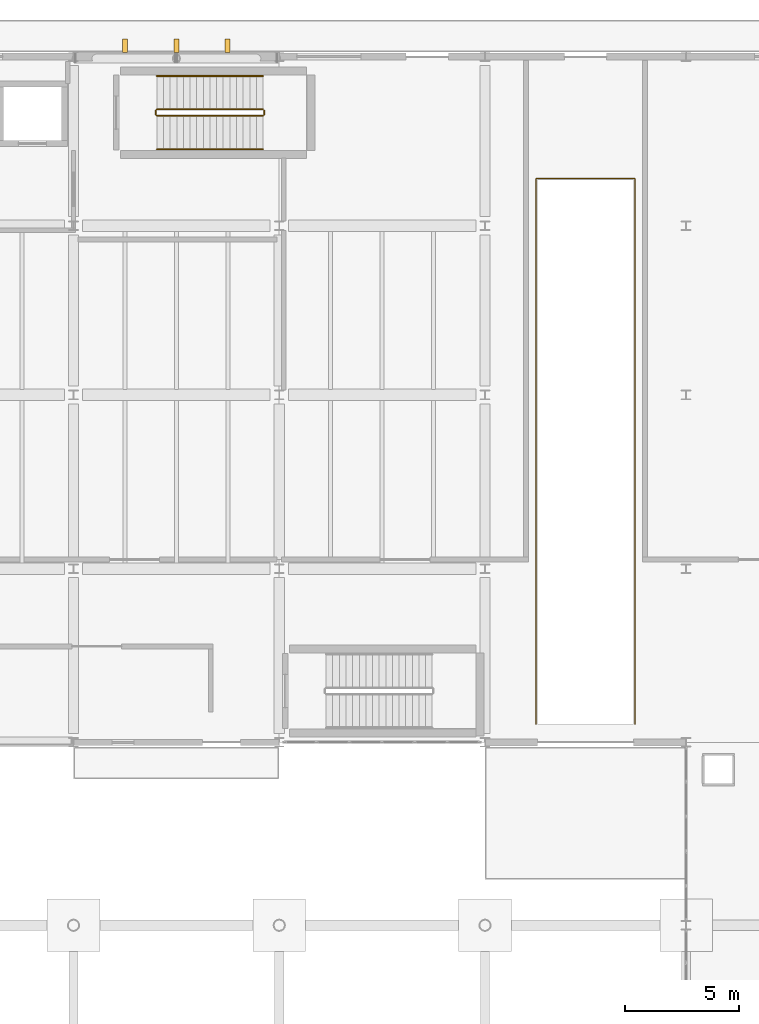
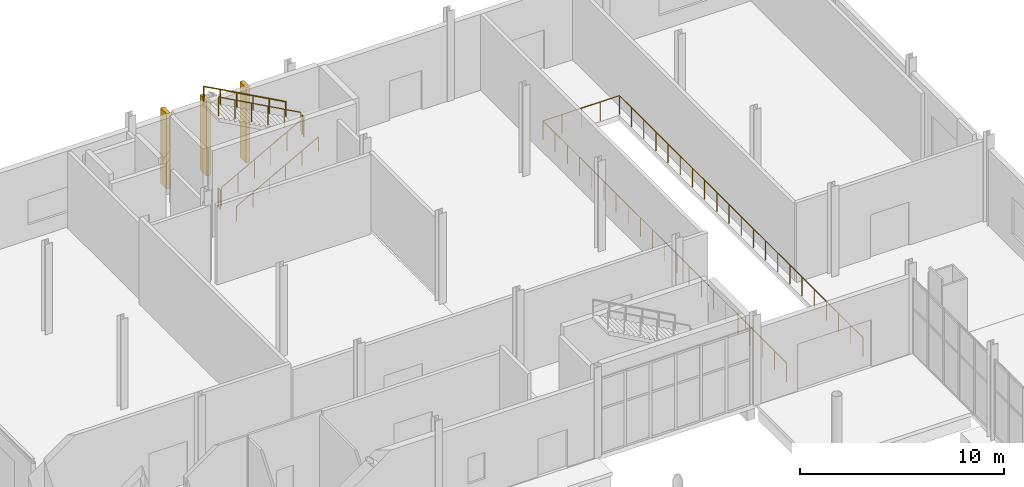
# One storey, part 94 of 95: 7 railings, 3 shading devices.
"""IFC4 building model written with IfcOpenShell, lengths in metres."""

import ifcopenshell
import ifcopenshell.guid

model = None  # the IFC model being written
_history = None  # IfcOwnerHistory: only IFC2X3 demands one
_inside = {}  # id of a spatial element -> (the spatial element, [elements in it])
_under = {}  # id of a project, library or spatial element -> (it, [spatial elements below it])
_declared = {}  # id of a project -> (the project, [libraries it declares])
_typed = {}  # id of a type object -> (the type object, [elements of that type])
_made_of = {}  # id of a material, layer set ... -> (it, [elements and type objects made of it])


def new_model(schema):
    """Start an empty IFC model of exactly this schema.

    Asked for "IFC4X3", IfcOpenShell would pick the latest addendum, in which some entities
    have other attributes; the version numbers below select the first issue.
    IFC2X3 requires an IfcOwnerHistory on every rooted entity: one is made here for all.
    """
    global model, _history
    if schema == "IFC4X3":
        model = ifcopenshell.file(schema_version=(4, 3, 0, 0))
    else:
        model = ifcopenshell.file(schema=schema)
    _inside.clear()
    _under.clear()
    _declared.clear()
    _typed.clear()
    _made_of.clear()
    _history = None
    if model.schema == "IFC2X3":
        org = make("IfcOrganization", Name="unknown")
        user = make(
            "IfcPersonAndOrganization",
            ThePerson=make("IfcPerson", FamilyName="unknown"),
            TheOrganization=org,
        )
        app = make(
            "IfcApplication",
            ApplicationDeveloper=org,
            Version="unknown",
            ApplicationFullName="unknown",
            ApplicationIdentifier="unknown",
        )
        _history = make(
            "IfcOwnerHistory",
            OwningUser=user,
            OwningApplication=app,
            ChangeAction="ADDED",
            CreationDate=0,
        )
    return model


def make(cls, **values):
    """One entity of the class cls with the attributes given. An attribute that is None is left unset."""
    return model.create_entity(
        cls, **{name: value for name, value in values.items() if value is not None}
    )


def rooted(cls, **values):
    """An entity with a GlobalId (a new one), such as an element, a storey or a relation."""
    return make(cls, GlobalId=ifcopenshell.guid.new(), OwnerHistory=_history, **values)


def si_unit(unit_type, name, prefix=None):
    """IfcSIUnit, for example si_unit("LENGTHUNIT", "METRE", prefix="MILLI")."""
    return make("IfcSIUnit", UnitType=unit_type, Prefix=prefix, Name=name)


def assignment(units):
    """IfcUnitAssignment: the units of a project."""
    return None if units is None else make("IfcUnitAssignment", Units=units)


def point(xyz):
    """IfcCartesianPoint."""
    return None if xyz is None else make("IfcCartesianPoint", Coordinates=xyz)


def direction(xyz):
    """IfcDirection."""
    return None if xyz is None else make("IfcDirection", DirectionRatios=xyz)


def frame(location, z_axis=None, x_axis=None):
    """IfcAxis2Placement3D, a coordinate frame: its origin and axes. An axis left out is left unset."""
    return make(
        "IfcAxis2Placement3D",
        Location=point(location),
        Axis=direction(z_axis),
        RefDirection=direction(x_axis),
    )


def frame_2d(location, x_axis=None):
    """IfcAxis2Placement2D, a coordinate frame in the plane: its origin and x axis."""
    return make(
        "IfcAxis2Placement2D", Location=point(location), RefDirection=direction(x_axis)
    )


def origin():
    """The frame at (0, 0, 0) with its axes left unset."""
    return frame((0.0, 0.0, 0.0))


def origin_2d():
    """The frame at (0, 0) in the plane with its x axis left unset."""
    return frame_2d((0.0, 0.0))


def place(relative_to, where):
    """IfcLocalPlacement: puts the frame where relative to a parent placement (None: the world)."""
    return make(
        "IfcLocalPlacement", PlacementRelTo=relative_to, RelativePlacement=where
    )


def context(
    kind, dimensions, precision=None, world=None, true_north=None, identifier=None
):
    """IfcGeometricRepresentationContext, for example the 3D "Model" context."""
    return make(
        "IfcGeometricRepresentationContext",
        ContextIdentifier=identifier,
        ContextType=kind,
        CoordinateSpaceDimension=dimensions,
        Precision=precision,
        WorldCoordinateSystem=world,
        TrueNorth=true_north,
    )


def subcontext(parent, identifier, kind, view, scale=None):
    """IfcGeometricRepresentationSubContext, for example "Body" below "Model"."""
    return make(
        "IfcGeometricRepresentationSubContext",
        ContextIdentifier=identifier,
        ContextType=kind,
        ParentContext=parent,
        TargetScale=scale,
        TargetView=view,
    )


def project(units=None, contexts=None):
    """IfcProject with its units and contexts."""
    return rooted(
        "IfcProject",
        Name="project",
        RepresentationContexts=contexts,
        UnitsInContext=assignment(units),
    )


def spatial(cls, under=None, at=None, **own):
    """A site, building, storey or space (cls), placed at a placement, below another one or the project."""
    s = rooted(cls, ObjectPlacement=at, **own)
    if under is not None:
        _under.setdefault(under.id(), (under, []))[1].append(s)
    return s


def profile(cls, at=None, kind="AREA", **sizes):
    """A parametric profile (cls). Its sizes go by their IFC names, for example OverallWidth=200.0."""
    return make(cls, ProfileType=kind, Position=at, **sizes)


def rectangle(**sizes):
    """IfcRectangleProfileDef."""
    return profile("IfcRectangleProfileDef", **sizes)


def circle(**sizes):
    """IfcCircleProfileDef."""
    return profile("IfcCircleProfileDef", **sizes)


def extrude(swept, where, along, depth):
    """IfcExtrudedAreaSolid: the profile swept, set in the frame where, extruded along a direction by depth."""
    return make(
        "IfcExtrudedAreaSolid",
        SweptArea=swept,
        Position=where,
        ExtrudedDirection=direction(along),
        Depth=depth,
    )


def shape(context_of_items, identifier, shape_type, items):
    """IfcShapeRepresentation: the items that make up one representation, for example the "Body"."""
    return make(
        "IfcShapeRepresentation",
        ContextOfItems=context_of_items,
        RepresentationIdentifier=identifier,
        RepresentationType=shape_type,
        Items=items,
    )


def material(Name=None, Category=None):
    """IfcMaterial."""
    return make("IfcMaterial", Name=Name, Category=Category)


def layer(
    of_material, thickness, ventilated=None, Name=None, Category=None, Priority=None
):
    """IfcMaterialLayer: one layer of a wall or slab, of a material (None: an air gap)."""
    return make(
        "IfcMaterialLayer",
        Material=of_material,
        LayerThickness=thickness,
        IsVentilated=ventilated,
        Name=Name,
        Category=Category,
        Priority=Priority,
    )


def layer_set(layers, Name=None):
    """IfcMaterialLayerSet."""
    return make("IfcMaterialLayerSet", MaterialLayers=layers, LayerSetName=Name)


def made_of(thing, what):
    """Note that an element or type object is made of a material, layer set ...; save() writes the relation."""
    if what is not None:
        _made_of.setdefault(what.id(), (what, []))[1].append(thing)
    return thing


def type_object(cls, material=None, **own):
    """A type object (cls), such as IfcWallType, which elements share."""
    return made_of(rooted(cls, **own), material)


def element(
    cls,
    number,
    at=None,
    inside=None,
    cuts=None,
    type_object=None,
    material=None,
    context=None,
    identifier="Body",
    shape_type=None,
    held_by="IfcProductDefinitionShape",
    body=None,
    shapes=None,
    **own,
):
    """One element of the class cls, such as IfcWall. Its Tag is "e" and its number.

    at: its placement. inside: the storey or other place that contains it. cuts: it is an
    opening in that element (IfcRelVoidsElement). A single representation is given by context,
    identifier, shape_type and body (its items); several are given by shapes. held_by: the class
    of the entity that holds the representations. save() writes the other relations.
    """
    e = rooted(cls, Tag="e%d" % number, ObjectPlacement=at, **own)
    if body is not None:
        shapes = [shape(context, identifier, shape_type, body)]
    if shapes is not None:
        e.Representation = make(held_by, Representations=shapes)
    if inside is not None:
        _inside.setdefault(inside.id(), (inside, []))[1].append(e)
    if cuts is not None:
        rooted(
            "IfcRelVoidsElement", RelatingBuildingElement=cuts, RelatedOpeningElement=e
        )
    if type_object is not None:
        _typed.setdefault(type_object.id(), (type_object, []))[1].append(e)
    return made_of(e, material)


def aggregate(whole, parts):
    """IfcRelAggregates: a whole, such as a stair, and the parts it consists of."""
    return rooted("IfcRelAggregates", RelatingObject=whole, RelatedObjects=parts)


def save(model, path):
    """Write the relations noted so far, then the file.

    IfcRelAggregates (storeys below a building ...), IfcRelContainedInSpatialStructure (elements
    in a storey), IfcRelDefinesByType, IfcRelAssociatesMaterial and IfcRelDeclares: one each for
    every whole, place, type object, material and project.
    """
    for whole, parts in _under.values():
        aggregate(whole, parts)
    for where, things in _inside.values():
        rooted(
            "IfcRelContainedInSpatialStructure",
            RelatedElements=things,
            RelatingStructure=where,
        )
    for kind, things in _typed.values():
        rooted("IfcRelDefinesByType", RelatedObjects=things, RelatingType=kind)
    for what, things in _made_of.values():
        rooted("IfcRelAssociatesMaterial", RelatedObjects=things, RelatingMaterial=what)
    for by, libraries in _declared.values():
        rooted("IfcRelDeclares", RelatingContext=by, RelatedDefinitions=libraries)
    model.write(path)


model = new_model("IFC4")

# Units and contexts
model_context = context("Model", 3, precision=1e-05, world=origin(), true_north=direction((0.0, 1.0)))
body_context = subcontext(model_context, "Body", "Model", "MODEL_VIEW")
ifc_project = project(units=[si_unit("LENGTHUNIT", "METRE"), si_unit("AREAUNIT", "SQUARE_METRE"), si_unit("VOLUMEUNIT", "CUBIC_METRE"), si_unit("PLANEANGLEUNIT", "RADIAN"), si_unit("MASSUNIT", "GRAM", prefix="KILO")], contexts=[model_context])

# Site, building, storey
site_placement = place(None, origin())
site = spatial("IfcSite", under=ifc_project, at=site_placement, CompositionType="ELEMENT")
building_placement = place(site_placement, origin())
building = spatial("IfcBuilding", under=site, at=building_placement, Name="Shengluoqiao Park Theatre", CompositionType="ELEMENT")
storey_placement = place(building_placement, origin())
storey = spatial("IfcBuildingStorey", under=building, at=storey_placement, Name="L00", CompositionType="ELEMENT", Elevation=0.0)

# Shading devices
ifc_material_1 = material(Name="Concrete C45", Category="concrete")
ifc_layer = layer(ifc_material_1, 0.219970703125, Name="Concrete C45")
ifc_layer_set = layer_set([ifc_layer], Name="Concrete C45")
shading_device_type = type_object("IfcShadingDeviceType", Name="ENV-FIN-600x220", PredefinedType="USERDEFINED", material=ifc_layer_set)
for number, where, z_axis, x_axis, name in (
    (1, (132.65673828125, 114.47509765625, 0.02001953125), (0.0, 0.0, 1.0), (0.0, 1.0, 0.0), "L00 Vertical Concrete Acoustic Rib 0146"),
    (2, (134.89990234375, 114.47509765625, 0.02001953125), (0.0, 0.0, 1.0), (0.0, 1.0, 0.0), "L00 Vertical Concrete Acoustic Rib 0147"),
    (3, (137.143310546875, 114.47509765625, 0.02001953125), (0.0, 0.0, 1.0), (0.0, 1.0, 0.0), "L00 Vertical Concrete Acoustic Rib 0148"),
):
    element("IfcShadingDevice", number, at=place(storey_placement, frame(where, z_axis=z_axis, x_axis=x_axis)), inside=storey, type_object=shading_device_type, Name=name, ObjectType="FIN", PredefinedType="USERDEFINED", context=body_context, shape_type="SweptSolid", body=[
        extrude(rectangle(XDim=0.60009765625, YDim=0.219970703125, at=origin_2d()), origin(), (0.0, 0.0, 1.0), 4.510009765625),
    ])

# Railings
ifc_material_2 = material(Name="Steel Q355", Category="steel")
railing_type_1 = type_object("IfcRailingType", Name="INT-RL-FLY115", PredefinedType="GUARDRAIL", material=ifc_material_2)
railing_1_placement = place(storey_placement, frame((150.639892578125, 84.800048828125, 0.0)))
element("IfcRailing", 4, at=railing_1_placement, inside=storey, type_object=railing_type_1, Name="L00 Vehicle Ramp Void Safety Guard 0001", PredefinedType="GUARDRAIL", context=body_context, shape_type="SweptSolid", body=[
    extrude(circle(Radius=0.02392578125, at=origin_2d()), frame((0.0, 0.0, 1.1259765625), z_axis=(0.0, 1.0, 0.0), x_axis=(-1.0, 0.0, 0.0)), (0.0, 0.0, 1.0), 23.85986328125),
    extrude(circle(Radius=0.02392578125, at=origin_2d()), frame((0.0, 23.85986328125, 1.1259765625), z_axis=(1.0, 0.0, 0.0), x_axis=(0.0, 1.0, 0.0)), (0.0, 0.0, 1.0), 4.320068359375),
    extrude(circle(Radius=0.02392578125, at=origin_2d()), frame((4.320068359375, 23.85986328125, 1.1259765625), z_axis=(0.0, -1.0, 0.0), x_axis=(1.0, 0.0, 0.0)), (0.0, 0.0, 1.0), 23.85986328125),
    extrude(circle(Radius=0.02099609375, at=origin_2d()), origin(), (0.0, 0.0, 1.0), 1.101806640625),
    extrude(circle(Radius=0.02099609375, at=origin_2d()), frame((0.0, 1.19287109375, 0.0)), (0.0, 0.0, 1.0), 1.101806640625),
    extrude(circle(Radius=0.02099609375, at=origin_2d()), frame((0.0, 2.385986328125, 0.0)), (0.0, 0.0, 1.0), 1.101806640625),
    extrude(circle(Radius=0.02099609375, at=origin_2d()), frame((0.0, 3.5791015625, 0.0)), (0.0, 0.0, 1.0), 1.101806640625),
    extrude(circle(Radius=0.02099609375, at=origin_2d()), frame((0.0, 4.77197265625, 0.0)), (0.0, 0.0, 1.0), 1.101806640625),
    extrude(circle(Radius=0.02099609375, at=origin_2d()), frame((0.0, 5.96484375, 0.0)), (0.0, 0.0, 1.0), 1.101806640625),
    extrude(circle(Radius=0.02099609375, at=origin_2d()), frame((0.0, 7.157958984375, 0.0)), (0.0, 0.0, 1.0), 1.101806640625),
    extrude(circle(Radius=0.02099609375, at=origin_2d()), frame((0.0, 8.35107421875, 0.0)), (0.0, 0.0, 1.0), 1.101806640625),
    extrude(circle(Radius=0.02099609375, at=origin_2d()), frame((0.0, 9.5439453125, 0.0)), (0.0, 0.0, 1.0), 1.101806640625),
    extrude(circle(Radius=0.02099609375, at=origin_2d()), frame((0.0, 10.73681640625, 0.0)), (0.0, 0.0, 1.0), 1.101806640625),
    extrude(circle(Radius=0.02099609375, at=origin_2d()), frame((0.0, 11.929931640625, 0.0)), (0.0, 0.0, 1.0), 1.101806640625),
    extrude(circle(Radius=0.02099609375, at=origin_2d()), frame((0.0, 13.123046875, 0.0)), (0.0, 0.0, 1.0), 1.101806640625),
    extrude(circle(Radius=0.02099609375, at=origin_2d()), frame((0.0, 14.31591796875, 0.0)), (0.0, 0.0, 1.0), 1.101806640625),
    extrude(circle(Radius=0.02099609375, at=origin_2d()), frame((0.0, 15.5087890625, 0.0)), (0.0, 0.0, 1.0), 1.101806640625),
    extrude(circle(Radius=0.02099609375, at=origin_2d()), frame((0.0, 16.701904296875, 0.0)), (0.0, 0.0, 1.0), 1.101806640625),
    extrude(circle(Radius=0.02099609375, at=origin_2d()), frame((0.0, 17.89501953125, 0.0)), (0.0, 0.0, 1.0), 1.101806640625),
    extrude(circle(Radius=0.02099609375, at=origin_2d()), frame((0.0, 19.087890625, 0.0)), (0.0, 0.0, 1.0), 1.101806640625),
    extrude(circle(Radius=0.02099609375, at=origin_2d()), frame((0.0, 20.28076171875, 0.0)), (0.0, 0.0, 1.0), 1.101806640625),
    extrude(circle(Radius=0.02099609375, at=origin_2d()), frame((0.0, 21.473876953125, 0.0)), (0.0, 0.0, 1.0), 1.101806640625),
    extrude(circle(Radius=0.02099609375, at=origin_2d()), frame((0.0, 22.6669921875, 0.0)), (0.0, 0.0, 1.0), 1.101806640625),
    extrude(circle(Radius=0.02099609375, at=origin_2d()), frame((0.0, 23.85986328125, 0.0)), (0.0, 0.0, 1.0), 1.101806640625),
    extrude(circle(Radius=0.02099609375, at=origin_2d()), frame((1.080078125, 23.85986328125, 0.0)), (0.0, 0.0, 1.0), 1.101806640625),
    extrude(circle(Radius=0.02099609375, at=origin_2d()), frame((2.16015625, 23.85986328125, 0.0)), (0.0, 0.0, 1.0), 1.101806640625),
    extrude(circle(Radius=0.02099609375, at=origin_2d()), frame((3.239990234375, 23.85986328125, 0.0)), (0.0, 0.0, 1.0), 1.101806640625),
    extrude(circle(Radius=0.02099609375, at=origin_2d()), frame((4.320068359375, 23.85986328125, 0.0)), (0.0, 0.0, 1.0), 1.101806640625),
    extrude(circle(Radius=0.02099609375, at=origin_2d()), frame((4.320068359375, 22.6669921875, 0.0)), (0.0, 0.0, 1.0), 1.101806640625),
    extrude(circle(Radius=0.02099609375, at=origin_2d()), frame((4.320068359375, 21.473876953125, 0.0)), (0.0, 0.0, 1.0), 1.101806640625),
    extrude(circle(Radius=0.02099609375, at=origin_2d()), frame((4.320068359375, 20.28076171875, 0.0)), (0.0, 0.0, 1.0), 1.101806640625),
    extrude(circle(Radius=0.02099609375, at=origin_2d()), frame((4.320068359375, 19.087890625, 0.0)), (0.0, 0.0, 1.0), 1.101806640625),
    extrude(circle(Radius=0.02099609375, at=origin_2d()), frame((4.320068359375, 17.89501953125, 0.0)), (0.0, 0.0, 1.0), 1.101806640625),
    extrude(circle(Radius=0.02099609375, at=origin_2d()), frame((4.320068359375, 16.701904296875, 0.0)), (0.0, 0.0, 1.0), 1.101806640625),
    extrude(circle(Radius=0.02099609375, at=origin_2d()), frame((4.320068359375, 15.5087890625, 0.0)), (0.0, 0.0, 1.0), 1.101806640625),
    extrude(circle(Radius=0.02099609375, at=origin_2d()), frame((4.320068359375, 14.31591796875, 0.0)), (0.0, 0.0, 1.0), 1.101806640625),
    extrude(circle(Radius=0.02099609375, at=origin_2d()), frame((4.320068359375, 13.123046875, 0.0)), (0.0, 0.0, 1.0), 1.101806640625),
    extrude(circle(Radius=0.02099609375, at=origin_2d()), frame((4.320068359375, 11.929931640625, 0.0)), (0.0, 0.0, 1.0), 1.101806640625),
    extrude(circle(Radius=0.02099609375, at=origin_2d()), frame((4.320068359375, 10.73681640625, 0.0)), (0.0, 0.0, 1.0), 1.101806640625),
    extrude(circle(Radius=0.02099609375, at=origin_2d()), frame((4.320068359375, 9.5439453125, 0.0)), (0.0, 0.0, 1.0), 1.101806640625),
    extrude(circle(Radius=0.02099609375, at=origin_2d()), frame((4.320068359375, 8.35107421875, 0.0)), (0.0, 0.0, 1.0), 1.101806640625),
    extrude(circle(Radius=0.02099609375, at=origin_2d()), frame((4.320068359375, 7.157958984375, 0.0)), (0.0, 0.0, 1.0), 1.101806640625),
    extrude(circle(Radius=0.02099609375, at=origin_2d()), frame((4.320068359375, 5.96484375, 0.0)), (0.0, 0.0, 1.0), 1.101806640625),
    extrude(circle(Radius=0.02099609375, at=origin_2d()), frame((4.320068359375, 4.77197265625, 0.0)), (0.0, 0.0, 1.0), 1.101806640625),
    extrude(circle(Radius=0.02099609375, at=origin_2d()), frame((4.320068359375, 3.5791015625, 0.0)), (0.0, 0.0, 1.0), 1.101806640625),
    extrude(circle(Radius=0.02099609375, at=origin_2d()), frame((4.320068359375, 2.385986328125, 0.0)), (0.0, 0.0, 1.0), 1.101806640625),
    extrude(circle(Radius=0.02099609375, at=origin_2d()), frame((4.320068359375, 1.19287109375, 0.0)), (0.0, 0.0, 1.0), 1.101806640625),
    extrude(circle(Radius=0.02099609375, at=origin_2d()), frame((4.320068359375, 0.0, 0.0)), (0.0, 0.0, 1.0), 1.101806640625),
])
ifc_material_3 = material(Name="Painted steel", Category="steel")
railing_type_2 = type_object("IfcRailingType", Name="INT-RL-STGRD", PredefinedType="GUARDRAIL", material=ifc_material_3)
railing_2_placement = place(storey_placement, frame((134.050048828125, 111.409912109375, 0.158935546875)))
element("IfcRailing", 5, at=railing_2_placement, inside=storey, type_object=railing_type_2, Name="L00 ST-06 stair guard 1", PredefinedType="GUARDRAIL", context=body_context, shape_type="SweptSolid", body=[
    extrude(circle(Radius=0.02392578125, at=origin_2d()), frame((0.0, 0.0, 1.1259765625), z_axis=(0.877086546512, 0.0, 0.480332374433), x_axis=(0.0, 1.0, 0.0)), (0.0, 0.0, 1.0), 5.2900390625),
    extrude(circle(Radius=0.02099609375, at=origin_2d()), origin(), (0.0, 0.0, 1.0), 1.101806640625),
    extrude(circle(Radius=0.02099609375, at=origin_2d()), frame((0.927978515625, 0.0, 0.50830078125)), (0.0, 0.0, 1.0), 1.101806640625),
    extrude(circle(Radius=0.02099609375, at=origin_2d()), frame((1.85595703125, 0.0, 1.016357421875)), (0.0, 0.0, 1.0), 1.101806640625),
    extrude(circle(Radius=0.02099609375, at=origin_2d()), frame((2.783935546875, 0.0, 1.524658203125)), (0.0, 0.0, 1.0), 1.101806640625),
    extrude(circle(Radius=0.02099609375, at=origin_2d()), frame((3.7119140625, 0.0, 2.03271484375)), (0.0, 0.0, 1.0), 1.101806640625),
    extrude(circle(Radius=0.02099609375, at=origin_2d()), frame((4.639892578125, 0.0, 2.541015625)), (0.0, 0.0, 1.0), 1.101806640625),
])
railing_3_placement = place(storey_placement, frame((138.739990234375, 111.4599609375, 2.699951171875)))
element("IfcRailing", 6, at=railing_3_placement, inside=storey, type_object=railing_type_2, Name="L00 ST-06 stair guard 2", PredefinedType="GUARDRAIL", context=body_context, shape_type="SweptSolid", body=[
    extrude(circle(Radius=0.02392578125, at=origin_2d()), frame((0.0, 0.0, 1.1259765625), z_axis=(0.0, 1.0, 0.0), x_axis=(-1.0, 0.0, 0.0)), (0.0, 0.0, 1.0), 0.179931640625),
    extrude(circle(Radius=0.02099609375, at=origin_2d()), origin(), (0.0, 0.0, 1.0), 1.101806640625),
    extrude(circle(Radius=0.02099609375, at=origin_2d()), frame((0.0, 0.179931640625, 0.0)), (0.0, 0.0, 1.0), 1.101806640625),
])
railing_4_placement = place(storey_placement, frame((138.68994140625, 111.68994140625, 2.85888671875)))
element("IfcRailing", 7, at=railing_4_placement, inside=storey, type_object=railing_type_2, Name="L00 ST-06 stair guard 3", PredefinedType="GUARDRAIL", context=body_context, shape_type="SweptSolid", body=[
    extrude(circle(Radius=0.02392578125, at=origin_2d()), frame((0.0, 0.0, 1.1259765625), z_axis=(-0.877086546512, 0.0, 0.480332374433), x_axis=(0.0, -1.0, 0.0)), (0.0, 0.0, 1.0), 5.2900390625),
    extrude(circle(Radius=0.02099609375, at=origin_2d()), origin(), (0.0, 0.0, 1.0), 1.101806640625),
    extrude(circle(Radius=0.02099609375, at=origin_2d()), frame((-0.927978515625, 0.0, 0.50830078125)), (0.0, 0.0, 1.0), 1.101806640625),
    extrude(circle(Radius=0.02099609375, at=origin_2d()), frame((-1.85595703125, 0.0, 1.016357421875)), (0.0, 0.0, 1.0), 1.101806640625),
    extrude(circle(Radius=0.02099609375, at=origin_2d()), frame((-2.783935546875, 0.0, 1.524658203125)), (0.0, 0.0, 1.0), 1.101806640625),
    extrude(circle(Radius=0.02099609375, at=origin_2d()), frame((-3.7119140625, 0.0, 2.03271484375)), (0.0, 0.0, 1.0), 1.101806640625),
    extrude(circle(Radius=0.02099609375, at=origin_2d()), frame((-4.639892578125, 0.0, 2.541015625)), (0.0, 0.0, 1.0), 1.101806640625),
])
railing_5_placement = place(storey_placement, frame((134.0, 111.4599609375, 0.0)))
element("IfcRailing", 8, at=railing_5_placement, inside=storey, type_object=railing_type_2, Name="L00 ST-06 stair guard 4", PredefinedType="GUARDRAIL", context=body_context, shape_type="SweptSolid", body=[
    extrude(circle(Radius=0.02392578125, at=origin_2d()), frame((0.0, 0.0, 1.1259765625), z_axis=(0.0, 1.0, 0.0), x_axis=(-1.0, 0.0, 0.0)), (0.0, 0.0, 1.0), 0.179931640625),
    extrude(circle(Radius=0.02099609375, at=origin_2d()), origin(), (0.0, 0.0, 1.0), 1.101806640625),
    extrude(circle(Radius=0.02099609375, at=origin_2d()), frame((0.0, 0.179931640625, 0.0)), (0.0, 0.0, 1.0), 1.101806640625),
])
ifc_material_4 = material(Name="Stainless steel 304", Category="steel")
railing_type_3 = type_object("IfcRailingType", Name="INT-RL-STHR", PredefinedType="HANDRAIL", material=ifc_material_4)
railing_6_placement = place(storey_placement, frame((134.050048828125, 109.949951171875, 0.158935546875)))
element("IfcRailing", 9, at=railing_6_placement, inside=storey, type_object=railing_type_3, Name="L00 ST-06 stair handrail 1", PredefinedType="HANDRAIL", context=body_context, shape_type="SweptSolid", body=[
    extrude(circle(Radius=0.02392578125, at=origin_2d()), frame((0.0, 0.0, 0.8759765625), z_axis=(0.877086546512, 0.0, 0.480332374433), x_axis=(0.0, 1.0, 0.0)), (0.0, 0.0, 1.0), 5.2900390625),
    extrude(circle(Radius=0.02099609375, at=origin_2d()), origin(), (0.0, 0.0, 1.0), 0.851806640625),
    extrude(circle(Radius=0.02099609375, at=origin_2d()), frame((0.927978515625, 0.0, 0.50830078125)), (0.0, 0.0, 1.0), 0.851806640625),
    extrude(circle(Radius=0.02099609375, at=origin_2d()), frame((1.85595703125, 0.0, 1.016357421875)), (0.0, 0.0, 1.0), 0.851806640625),
    extrude(circle(Radius=0.02099609375, at=origin_2d()), frame((2.783935546875, 0.0, 1.524658203125)), (0.0, 0.0, 1.0), 0.851806640625),
    extrude(circle(Radius=0.02099609375, at=origin_2d()), frame((3.7119140625, 0.0, 2.03271484375)), (0.0, 0.0, 1.0), 0.851806640625),
    extrude(circle(Radius=0.02099609375, at=origin_2d()), frame((4.639892578125, 0.0, 2.541015625)), (0.0, 0.0, 1.0), 0.851806640625),
])
railing_7_placement = place(storey_placement, frame((138.68994140625, 113.14990234375, 2.85888671875)))
element("IfcRailing", 10, at=railing_7_placement, inside=storey, type_object=railing_type_3, Name="L00 ST-06 stair handrail 2", PredefinedType="HANDRAIL", context=body_context, shape_type="SweptSolid", body=[
    extrude(circle(Radius=0.02392578125, at=origin_2d()), frame((0.0, 0.0, 0.8759765625), z_axis=(-0.877086546512, 0.0, 0.480332374433), x_axis=(0.0, -1.0, 0.0)), (0.0, 0.0, 1.0), 5.2900390625),
    extrude(circle(Radius=0.02099609375, at=origin_2d()), origin(), (0.0, 0.0, 1.0), 0.851806640625),
    extrude(circle(Radius=0.02099609375, at=origin_2d()), frame((-0.927978515625, 0.0, 0.50830078125)), (0.0, 0.0, 1.0), 0.851806640625),
    extrude(circle(Radius=0.02099609375, at=origin_2d()), frame((-1.85595703125, 0.0, 1.016357421875)), (0.0, 0.0, 1.0), 0.851806640625),
    extrude(circle(Radius=0.02099609375, at=origin_2d()), frame((-2.783935546875, 0.0, 1.524658203125)), (0.0, 0.0, 1.0), 0.851806640625),
    extrude(circle(Radius=0.02099609375, at=origin_2d()), frame((-3.7119140625, 0.0, 2.03271484375)), (0.0, 0.0, 1.0), 0.851806640625),
    extrude(circle(Radius=0.02099609375, at=origin_2d()), frame((-4.639892578125, 0.0, 2.541015625)), (0.0, 0.0, 1.0), 0.851806640625),
])

save(model, "model.ifc")
